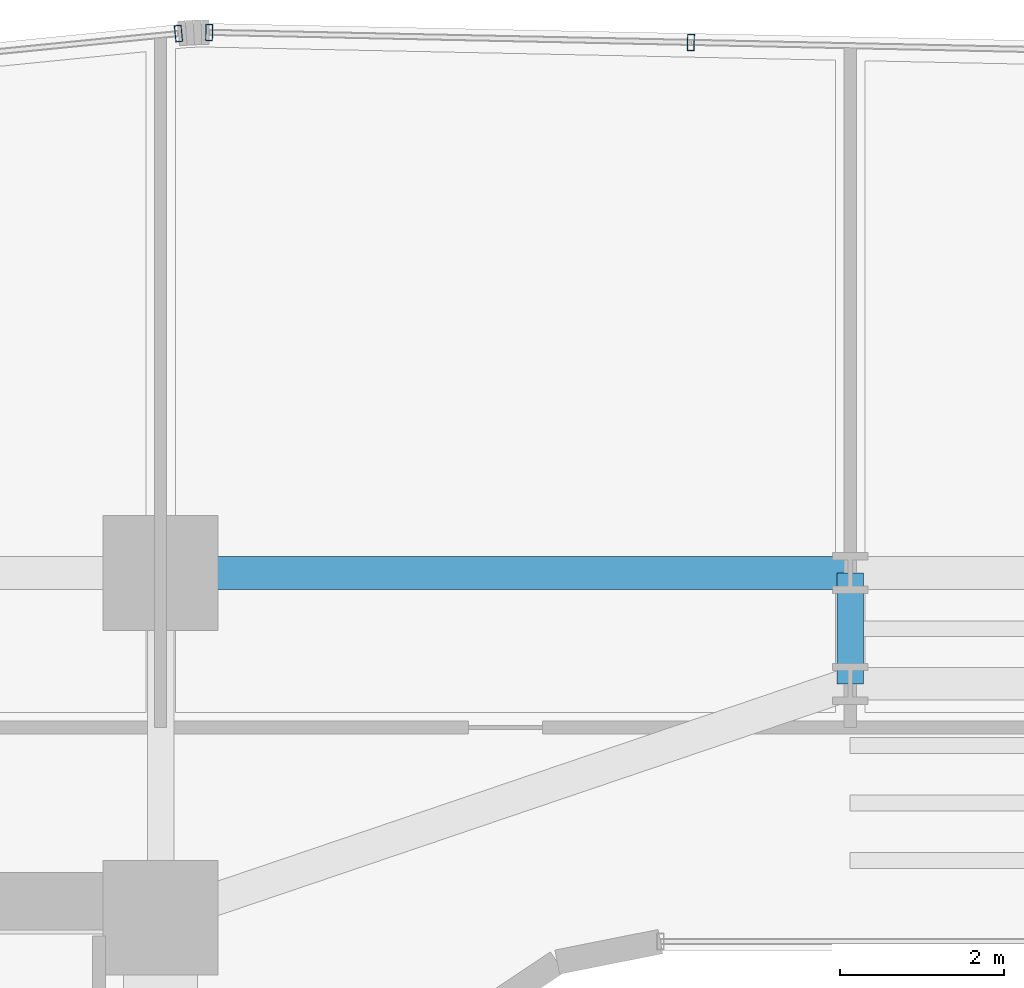
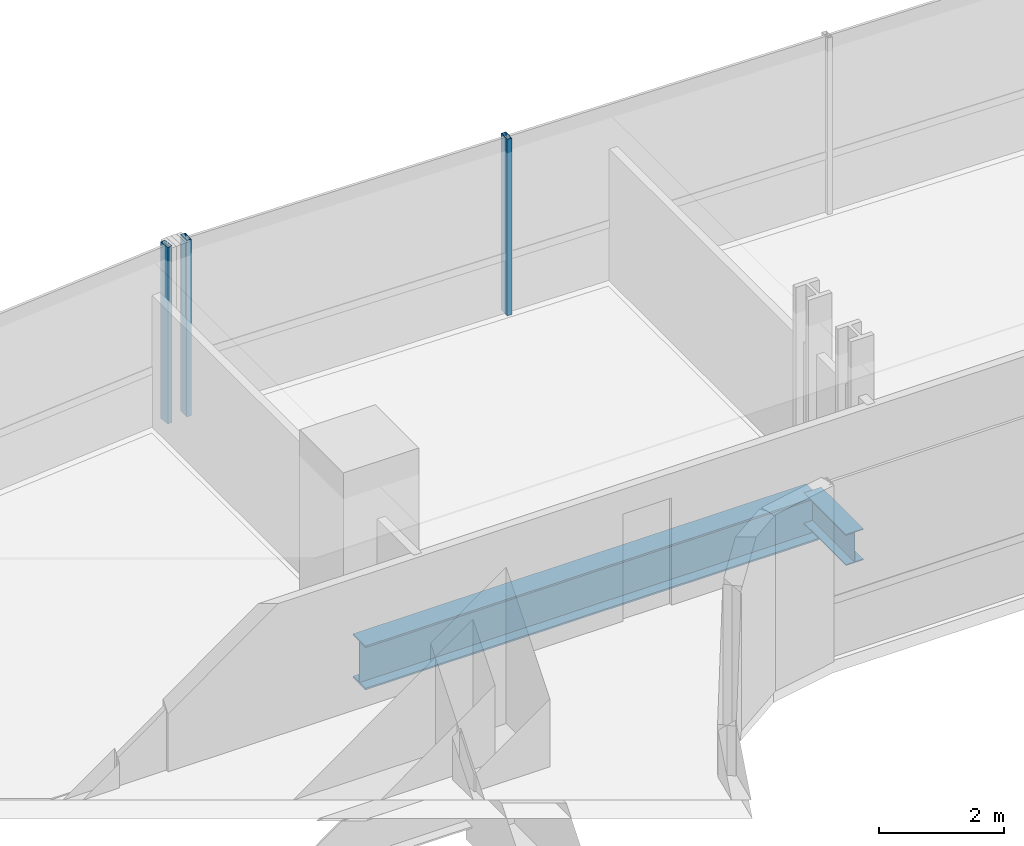
# One storey, part 19 of 38: 3 members, 2 beams, 2 elements without a shape of their own.
"""IFC4 building model written with IfcOpenShell, lengths in metres."""

from ifc_helpers import new_model, si_unit, direction, frame, origin, origin_2d, place, context, subcontext, project, spatial, hollow_rectangle, i_section, extrude, source, transform, mapped, material, material_profile, profile_set, type_object, element, aggregate, save


model = new_model("IFC4")

# Units and contexts
model_context = context("Model", 3, precision=1e-05, world=origin(), true_north=direction((0.0, 1.0)))
body_context = subcontext(model_context, "Body", "Model", "MODEL_VIEW")
ifc_project = project(units=[si_unit("LENGTHUNIT", "METRE"), si_unit("AREAUNIT", "SQUARE_METRE"), si_unit("VOLUMEUNIT", "CUBIC_METRE"), si_unit("PLANEANGLEUNIT", "RADIAN"), si_unit("MASSUNIT", "GRAM", prefix="KILO")], contexts=[model_context])

# Site, building, storey
site_placement = place(None, origin())
site = spatial("IfcSite", under=ifc_project, at=site_placement, CompositionType="ELEMENT")
building_placement = place(site_placement, origin())
building = spatial("IfcBuilding", under=site, at=building_placement, Name="Valdorenza Pilgrim Sanctuary Tower", CompositionType="ELEMENT")
storey_placement = place(building_placement, frame((0.0, 0.0, 37.10009765625)))
storey = spatial("IfcBuildingStorey", under=building, at=storey_placement, Name="L08", CompositionType="ELEMENT", Elevation=37.10009765625)

# Beams
ifc_material_1 = material(Name="Steel ASTM A992 Grade 50", Category="steel")
ifc_material_profile_1 = material_profile(ifc_material_1, i_section(OverallWidth=0.39990234375, OverallDepth=0.862060546875, WebThickness=0.019775390625, FlangeThickness=0.032470703125, at=origin_2d()), Name="W33X221")
ifc_profile_set_1 = profile_set([ifc_material_profile_1], Name="Steel ASTM A992 Grade 50")
beam_type_1 = type_object("IfcBeamType", Name="STR-BM-GRD-W33", PredefinedType="BEAM", material=ifc_profile_set_1)
shared_shape_1 = source(origin(), body_context, "Body", "SweptSolid", [
    extrude(i_section(OverallWidth=0.39990234375, OverallDepth=0.862060546875, WebThickness=0.019775390625, FlangeThickness=0.032470703125, at=origin_2d()), origin(), (0.0, 0.0, 1.0), 8.39990234375),
])
beam_1_placement = place(storey_placement, frame((-12.39990234375, 14.800048828125, -0.671142578125), z_axis=(1.0, 0.0, 0.0), x_axis=(0.0, 1.0, 0.0)))
element("IfcBeam", 1, at=beam_1_placement, inside=storey, type_object=beam_type_1, Name="L08 Floor Girder KNK-G4", PredefinedType="BEAM", context=body_context, shape_type="MappedRepresentation", body=[
    mapped(shared_shape_1, transform((0.0, 0.0, 0.0), x_axis=(1.0, 0.0, 0.0), y_axis=(0.0, 1.0, 0.0), z_axis=(0.0, 0.0, 1.0), scale=1.0)),
])
ifc_material_profile_2 = material_profile(ifc_material_1, i_section(OverallWidth=0.323974609375, OverallDepth=0.611083984375, WebThickness=0.0126953125, FlangeThickness=0.01904296875, at=origin_2d()), Name="W24X104")
ifc_profile_set_2 = profile_set([ifc_material_profile_2], Name="Steel ASTM A992 Grade 50")
beam_type_2 = type_object("IfcBeamType", Name="STR-BM-GRD-W24B", PredefinedType="BEAM", material=ifc_profile_set_2)
shared_shape_2 = source(origin(), body_context, "Body", "SweptSolid", [
    extrude(i_section(OverallWidth=0.323974609375, OverallDepth=0.611083984375, WebThickness=0.0126953125, FlangeThickness=0.01904296875, at=origin_2d()), origin(), (0.0, 0.0, 1.0), 1.35009765625),
])
beam_2_placement = place(storey_placement, frame((-4.0, 13.449951171875, -0.545654296875), z_axis=(0.0, 1.0, 0.0), x_axis=(-1.0, 0.0, 0.0)))
element("IfcBeam", 2, at=beam_2_placement, inside=storey, type_object=beam_type_2, Name="L08 Floor Girder KNK-TIE-W", PredefinedType="BEAM", context=body_context, shape_type="MappedRepresentation", body=[
    mapped(shared_shape_2, transform((0.0, 0.0, 0.0), x_axis=(1.0, 0.0, 0.0), y_axis=(0.0, 1.0, 0.0), z_axis=(0.0, 0.0, 1.0), scale=1.0)),
])

# Curtain wall, member
ifc_material_2 = material(Name="Curtain-wall IGU glazing", Category="glass")
curtain_wall_type = type_object("IfcCurtainWallType", Name="CW-SYS-02", PredefinedType="NOTDEFINED", material=ifc_material_2)
curtain_wall_1_placement = place(storey_placement, origin())
curtain_wall_1 = element("IfcCurtainWall", 3, at=curtain_wall_1_placement, inside=storey, type_object=curtain_wall_type, Name="L08 Curtain Wall CW-L08-1-6", PredefinedType="NOTDEFINED")
ifc_material_3 = material(Name="Anodised aluminium AW-6060", Category="aluminium")
ifc_material_profile_3 = material_profile(ifc_material_3, hollow_rectangle(XDim=0.0849609375, YDim=0.199951171875, WallThickness=0.0048828125, at=origin_2d()), Name="ALU-M 200x85x5")
ifc_profile_set_3 = profile_set([ifc_material_profile_3], Name="Anodised aluminium AW-6060")
member_type = type_object("IfcMemberType", Name="CW-MUL-02", PredefinedType="MULLION", material=ifc_profile_set_3)
shared_shape_3 = source(origin(), body_context, "Body", "SweptSolid", [
    extrude(hollow_rectangle(XDim=0.0849609375, YDim=0.199951171875, WallThickness=0.0048828125, at=origin_2d()), origin(), (0.0, 0.0, 1.0), 3.4599609375),
])
member_1_placement = place(storey_placement, frame((-12.181884765625, 21.371337890625, 0.0), z_axis=(0.0, 0.0, 1.0), x_axis=(0.995038220239, 0.099493418189, 0.0)))
member_1 = element("IfcMember", 4, at=member_1_placement, type_object=member_type, Name="CW-L08-1-6 Mullion 4", PredefinedType="MULLION", context=body_context, shape_type="MappedRepresentation", body=[
    mapped(shared_shape_3, transform((0.0, 0.0, 0.0), x_axis=(1.0, 0.0, 0.0), y_axis=(0.0, 1.0, 0.0), z_axis=(0.0, 0.0, 1.0), scale=1.0)),
])
aggregate(curtain_wall_1, [member_1])

# Curtain wall, members
curtain_wall_2_placement = place(storey_placement, origin())
curtain_wall_2 = element("IfcCurtainWall", 5, at=curtain_wall_2_placement, inside=storey, type_object=curtain_wall_type, Name="L08 Curtain Wall CW-L08-1-11", PredefinedType="NOTDEFINED")
member_2_placement = place(storey_placement, frame((-11.808349609375, 21.385986328125, 0.0), z_axis=(0.0, 0.0, 1.0), x_axis=(0.999783234613, -0.020820273474, 0.0)))
member_2 = element("IfcMember", 6, at=member_2_placement, type_object=member_type, Name="CW-L08-1-11 Mullion 1", PredefinedType="MULLION", context=body_context, shape_type="MappedRepresentation", body=[
    mapped(shared_shape_3, transform((0.0, 0.0, 0.0), x_axis=(1.0, 0.0, 0.0), y_axis=(0.0, 1.0, 0.0), z_axis=(0.0, 0.0, 1.0), scale=1.0)),
])
member_3_placement = place(storey_placement, frame((-5.93994140625, 21.263671875, 0.0), z_axis=(0.0, 0.0, 1.0), x_axis=(0.999783234613, -0.020820273474, 0.0)))
member_3 = element("IfcMember", 7, at=member_3_placement, type_object=member_type, Name="CW-L08-1-11 Mullion 2", PredefinedType="MULLION", context=body_context, shape_type="MappedRepresentation", body=[
    mapped(shared_shape_3, transform((0.0, 0.0, 0.0), x_axis=(1.0, 0.0, 0.0), y_axis=(0.0, 1.0, 0.0), z_axis=(0.0, 0.0, 1.0), scale=1.0)),
])
aggregate(curtain_wall_2, [member_2, member_3])

save(model, "model.ifc")
